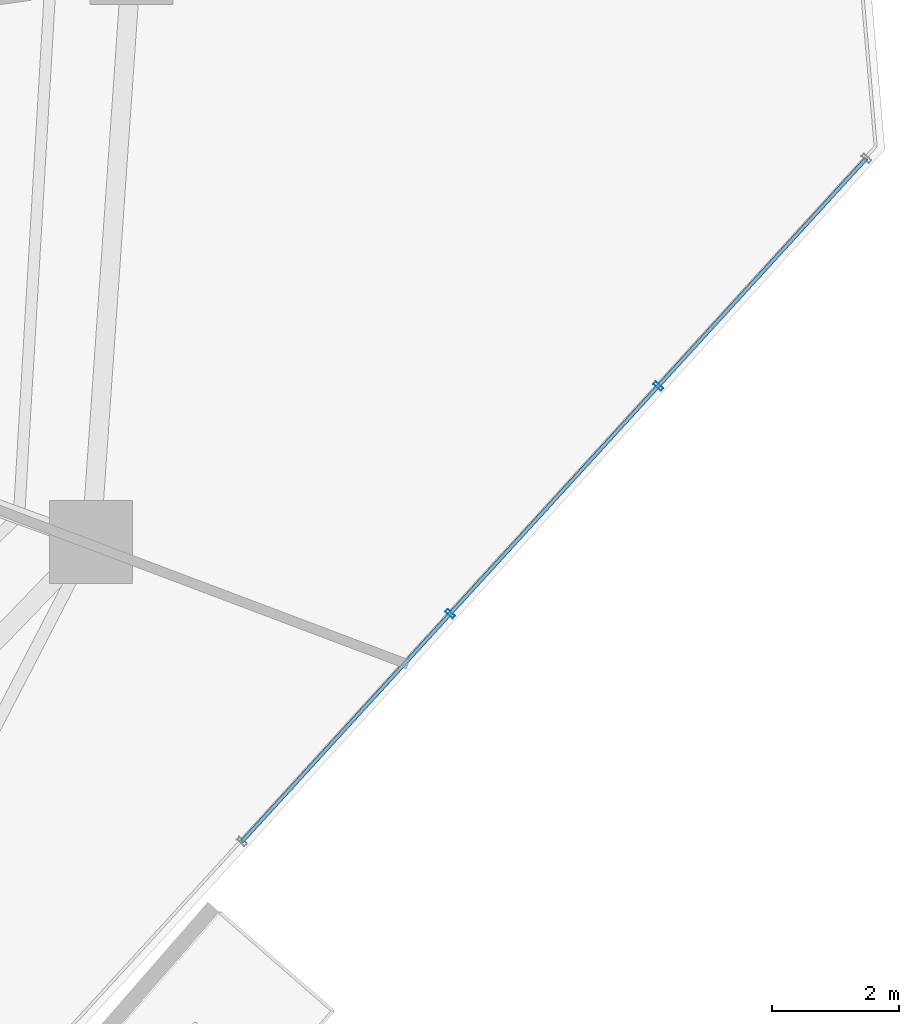
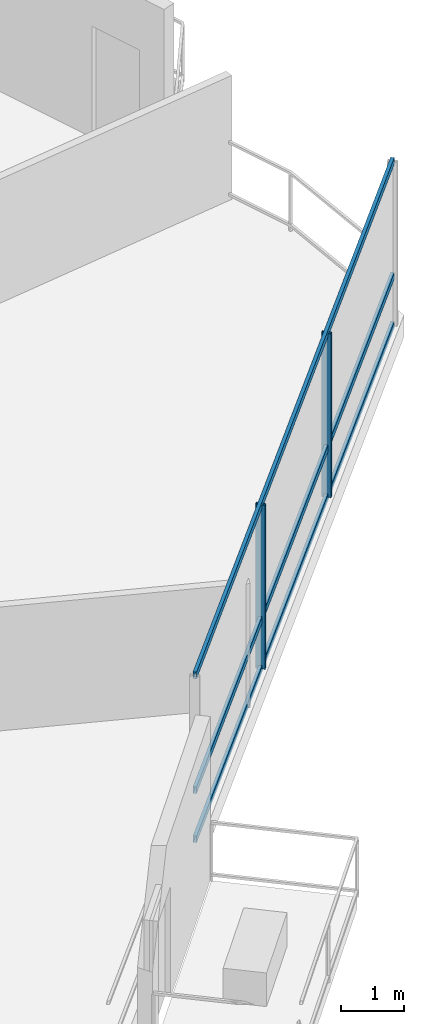
# One storey, part 14 of 33: 5 members, 1 element without a shape of its own.
"""IFC4 building model written with IfcOpenShell, lengths in metres."""

import ifcopenshell
import ifcopenshell.guid

model = None  # the IFC model being written
_history = None  # IfcOwnerHistory: only IFC2X3 demands one
_inside = {}  # id of a spatial element -> (the spatial element, [elements in it])
_under = {}  # id of a project, library or spatial element -> (it, [spatial elements below it])
_declared = {}  # id of a project -> (the project, [libraries it declares])
_typed = {}  # id of a type object -> (the type object, [elements of that type])
_made_of = {}  # id of a material, layer set ... -> (it, [elements and type objects made of it])


def new_model(schema):
    """Start an empty IFC model of exactly this schema.

    Asked for "IFC4X3", IfcOpenShell would pick the latest addendum, in which some entities
    have other attributes; the version numbers below select the first issue.
    IFC2X3 requires an IfcOwnerHistory on every rooted entity: one is made here for all.
    """
    global model, _history
    if schema == "IFC4X3":
        model = ifcopenshell.file(schema_version=(4, 3, 0, 0))
    else:
        model = ifcopenshell.file(schema=schema)
    _inside.clear()
    _under.clear()
    _declared.clear()
    _typed.clear()
    _made_of.clear()
    _history = None
    if model.schema == "IFC2X3":
        org = make("IfcOrganization", Name="unknown")
        user = make(
            "IfcPersonAndOrganization",
            ThePerson=make("IfcPerson", FamilyName="unknown"),
            TheOrganization=org,
        )
        app = make(
            "IfcApplication",
            ApplicationDeveloper=org,
            Version="unknown",
            ApplicationFullName="unknown",
            ApplicationIdentifier="unknown",
        )
        _history = make(
            "IfcOwnerHistory",
            OwningUser=user,
            OwningApplication=app,
            ChangeAction="ADDED",
            CreationDate=0,
        )
    return model


def make(cls, **values):
    """One entity of the class cls with the attributes given. An attribute that is None is left unset."""
    return model.create_entity(
        cls, **{name: value for name, value in values.items() if value is not None}
    )


def rooted(cls, **values):
    """An entity with a GlobalId (a new one), such as an element, a storey or a relation."""
    return make(cls, GlobalId=ifcopenshell.guid.new(), OwnerHistory=_history, **values)


def si_unit(unit_type, name, prefix=None):
    """IfcSIUnit, for example si_unit("LENGTHUNIT", "METRE", prefix="MILLI")."""
    return make("IfcSIUnit", UnitType=unit_type, Prefix=prefix, Name=name)


def assignment(units):
    """IfcUnitAssignment: the units of a project."""
    return None if units is None else make("IfcUnitAssignment", Units=units)


def point(xyz):
    """IfcCartesianPoint."""
    return None if xyz is None else make("IfcCartesianPoint", Coordinates=xyz)


def direction(xyz):
    """IfcDirection."""
    return None if xyz is None else make("IfcDirection", DirectionRatios=xyz)


def frame(location, z_axis=None, x_axis=None):
    """IfcAxis2Placement3D, a coordinate frame: its origin and axes. An axis left out is left unset."""
    return make(
        "IfcAxis2Placement3D",
        Location=point(location),
        Axis=direction(z_axis),
        RefDirection=direction(x_axis),
    )


def frame_2d(location, x_axis=None):
    """IfcAxis2Placement2D, a coordinate frame in the plane: its origin and x axis."""
    return make(
        "IfcAxis2Placement2D", Location=point(location), RefDirection=direction(x_axis)
    )


def origin():
    """The frame at (0, 0, 0) with its axes left unset."""
    return frame((0.0, 0.0, 0.0))


def origin_2d():
    """The frame at (0, 0) in the plane with its x axis left unset."""
    return frame_2d((0.0, 0.0))


def place(relative_to, where):
    """IfcLocalPlacement: puts the frame where relative to a parent placement (None: the world)."""
    return make(
        "IfcLocalPlacement", PlacementRelTo=relative_to, RelativePlacement=where
    )


def context(
    kind, dimensions, precision=None, world=None, true_north=None, identifier=None
):
    """IfcGeometricRepresentationContext, for example the 3D "Model" context."""
    return make(
        "IfcGeometricRepresentationContext",
        ContextIdentifier=identifier,
        ContextType=kind,
        CoordinateSpaceDimension=dimensions,
        Precision=precision,
        WorldCoordinateSystem=world,
        TrueNorth=true_north,
    )


def subcontext(parent, identifier, kind, view, scale=None):
    """IfcGeometricRepresentationSubContext, for example "Body" below "Model"."""
    return make(
        "IfcGeometricRepresentationSubContext",
        ContextIdentifier=identifier,
        ContextType=kind,
        ParentContext=parent,
        TargetScale=scale,
        TargetView=view,
    )


def project(units=None, contexts=None):
    """IfcProject with its units and contexts."""
    return rooted(
        "IfcProject",
        Name="project",
        RepresentationContexts=contexts,
        UnitsInContext=assignment(units),
    )


def spatial(cls, under=None, at=None, **own):
    """A site, building, storey or space (cls), placed at a placement, below another one or the project."""
    s = rooted(cls, ObjectPlacement=at, **own)
    if under is not None:
        _under.setdefault(under.id(), (under, []))[1].append(s)
    return s


def profile(cls, at=None, kind="AREA", **sizes):
    """A parametric profile (cls). Its sizes go by their IFC names, for example OverallWidth=200.0."""
    return make(cls, ProfileType=kind, Position=at, **sizes)


def hollow_rectangle(**sizes):
    """IfcRectangleHollowProfileDef."""
    return profile("IfcRectangleHollowProfileDef", **sizes)


def extrude(swept, where, along, depth):
    """IfcExtrudedAreaSolid: the profile swept, set in the frame where, extruded along a direction by depth."""
    return make(
        "IfcExtrudedAreaSolid",
        SweptArea=swept,
        Position=where,
        ExtrudedDirection=direction(along),
        Depth=depth,
    )


def shape(context_of_items, identifier, shape_type, items):
    """IfcShapeRepresentation: the items that make up one representation, for example the "Body"."""
    return make(
        "IfcShapeRepresentation",
        ContextOfItems=context_of_items,
        RepresentationIdentifier=identifier,
        RepresentationType=shape_type,
        Items=items,
    )


def material(Name=None, Category=None):
    """IfcMaterial."""
    return make("IfcMaterial", Name=Name, Category=Category)


def layer(
    of_material, thickness, ventilated=None, Name=None, Category=None, Priority=None
):
    """IfcMaterialLayer: one layer of a wall or slab, of a material (None: an air gap)."""
    return make(
        "IfcMaterialLayer",
        Material=of_material,
        LayerThickness=thickness,
        IsVentilated=ventilated,
        Name=Name,
        Category=Category,
        Priority=Priority,
    )


def layer_set(layers, Name=None):
    """IfcMaterialLayerSet."""
    return make("IfcMaterialLayerSet", MaterialLayers=layers, LayerSetName=Name)


def material_profile(
    of_material, cross_section, Name=None, Category=None, Priority=None
):
    """IfcMaterialProfile: a cross section and its material."""
    return make(
        "IfcMaterialProfile",
        Name=Name,
        Material=of_material,
        Profile=cross_section,
        Priority=Priority,
        Category=Category,
    )


def profile_set(profiles, Name=None, composite=None):
    """IfcMaterialProfileSet."""
    return make(
        "IfcMaterialProfileSet",
        Name=Name,
        MaterialProfiles=profiles,
        CompositeProfile=composite,
    )


def made_of(thing, what):
    """Note that an element or type object is made of a material, layer set ...; save() writes the relation."""
    if what is not None:
        _made_of.setdefault(what.id(), (what, []))[1].append(thing)
    return thing


def type_object(cls, material=None, **own):
    """A type object (cls), such as IfcWallType, which elements share."""
    return made_of(rooted(cls, **own), material)


def element(
    cls,
    number,
    at=None,
    inside=None,
    cuts=None,
    type_object=None,
    material=None,
    context=None,
    identifier="Body",
    shape_type=None,
    held_by="IfcProductDefinitionShape",
    body=None,
    shapes=None,
    **own,
):
    """One element of the class cls, such as IfcWall. Its Tag is "e" and its number.

    at: its placement. inside: the storey or other place that contains it. cuts: it is an
    opening in that element (IfcRelVoidsElement). A single representation is given by context,
    identifier, shape_type and body (its items); several are given by shapes. held_by: the class
    of the entity that holds the representations. save() writes the other relations.
    """
    e = rooted(cls, Tag="e%d" % number, ObjectPlacement=at, **own)
    if body is not None:
        shapes = [shape(context, identifier, shape_type, body)]
    if shapes is not None:
        e.Representation = make(held_by, Representations=shapes)
    if inside is not None:
        _inside.setdefault(inside.id(), (inside, []))[1].append(e)
    if cuts is not None:
        rooted(
            "IfcRelVoidsElement", RelatingBuildingElement=cuts, RelatedOpeningElement=e
        )
    if type_object is not None:
        _typed.setdefault(type_object.id(), (type_object, []))[1].append(e)
    return made_of(e, material)


def aggregate(whole, parts):
    """IfcRelAggregates: a whole, such as a stair, and the parts it consists of."""
    return rooted("IfcRelAggregates", RelatingObject=whole, RelatedObjects=parts)


def save(model, path):
    """Write the relations noted so far, then the file.

    IfcRelAggregates (storeys below a building ...), IfcRelContainedInSpatialStructure (elements
    in a storey), IfcRelDefinesByType, IfcRelAssociatesMaterial and IfcRelDeclares: one each for
    every whole, place, type object, material and project.
    """
    for whole, parts in _under.values():
        aggregate(whole, parts)
    for where, things in _inside.values():
        rooted(
            "IfcRelContainedInSpatialStructure",
            RelatedElements=things,
            RelatingStructure=where,
        )
    for kind, things in _typed.values():
        rooted("IfcRelDefinesByType", RelatedObjects=things, RelatingType=kind)
    for what, things in _made_of.values():
        rooted("IfcRelAssociatesMaterial", RelatedObjects=things, RelatingMaterial=what)
    for by, libraries in _declared.values():
        rooted("IfcRelDeclares", RelatingContext=by, RelatedDefinitions=libraries)
    model.write(path)


model = new_model("IFC4")

# Units and contexts
model_context = context("Model", 3, precision=1e-05, world=origin(), true_north=direction((0.0, 1.0)))
body_context = subcontext(model_context, "Body", "Model", "MODEL_VIEW")
ifc_project = project(units=[si_unit("LENGTHUNIT", "METRE"), si_unit("AREAUNIT", "SQUARE_METRE"), si_unit("VOLUMEUNIT", "CUBIC_METRE"), si_unit("PLANEANGLEUNIT", "RADIAN"), si_unit("MASSUNIT", "GRAM", prefix="KILO")], contexts=[model_context])

# Site, building, storey
site_placement = place(None, origin())
site = spatial("IfcSite", under=ifc_project, at=site_placement, CompositionType="ELEMENT")
building_placement = place(site_placement, origin())
building = spatial("IfcBuilding", under=site, at=building_placement, Name="Qarnah Convention Tower", CompositionType="ELEMENT")
storey_placement = place(building_placement, frame((0.0, 0.0, 27.0)))
storey = spatial("IfcBuildingStorey", under=building, at=storey_placement, Name="L05", CompositionType="ELEMENT", Elevation=27.0)

# Curtain wall, members
ifc_material_1 = material(Name="Tempered Low-E dark glass", Category="glass")
ifc_layer = layer(ifc_material_1, 0.16796875)
ifc_layer_set = layer_set([ifc_layer], Name="Tempered Low-E dark glass")
curtain_wall_type = type_object("IfcCurtainWallType", Name="CWS-01", PredefinedType="NOTDEFINED", material=ifc_layer_set)
curtain_wall_placement = place(storey_placement, origin())
curtain_wall = element("IfcCurtainWall", 1, at=curtain_wall_placement, inside=storey, type_object=curtain_wall_type, Name="L05 unitised curtain wall CW-L05-F3", PredefinedType="NOTDEFINED")
ifc_material_2 = material(Name="Black anodised aluminium", Category="aluminium")
ifc_material_profile_1 = material_profile(ifc_material_2, hollow_rectangle(XDim=0.06005859375, YDim=0.159912109375, WallThickness=0.00390625, at=origin_2d()), Name="MUL-60X160")
ifc_profile_set_1 = profile_set([ifc_material_profile_1], Name="Black anodised aluminium")
member_type_1 = type_object("IfcMemberType", Name="MUL-T1", PredefinedType="MULLION", material=ifc_profile_set_1)
member_1_placement = place(storey_placement, frame((61.66943359375, 23.189697265625, 0.0), z_axis=(0.0, 0.0, 1.0), x_axis=(-0.674681503435, -0.738108981738, 0.0)))
member_1 = element("IfcMember", 2, at=member_1_placement, type_object=member_type_1, Name="CW-L05-F3 mullion 2", PredefinedType="MULLION", context=body_context, shape_type="SweptSolid", body=[
    extrude(hollow_rectangle(XDim=0.06005859375, YDim=0.159912109375, WallThickness=0.00390625, at=origin_2d()), origin(), (0.0, 0.0, 1.0), 3.169921875),
])
member_2_placement = place(storey_placement, frame((58.396728515625, 19.609375, 0.0), z_axis=(0.0, 0.0, 1.0), x_axis=(-0.674681503435, -0.738108981738, 0.0)))
member_2 = element("IfcMember", 3, at=member_2_placement, type_object=member_type_1, Name="CW-L05-F3 mullion 3", PredefinedType="MULLION", context=body_context, shape_type="SweptSolid", body=[
    extrude(hollow_rectangle(XDim=0.06005859375, YDim=0.159912109375, WallThickness=0.00390625, at=origin_2d()), origin(), (0.0, 0.0, 1.0), 3.169921875),
])
ifc_material_profile_2 = material_profile(ifc_material_2, hollow_rectangle(XDim=0.06005859375, YDim=0.1298828125, WallThickness=0.00390625, at=origin_2d()), Name="TRN-60X130")
ifc_profile_set_2 = profile_set([ifc_material_profile_2], Name="Black anodised aluminium")
member_type_2 = type_object("IfcMemberType", Name="TRN-T1", PredefinedType="USERDEFINED", material=ifc_profile_set_2)
member_3_placement = place(storey_placement, frame((64.94189453125, 26.77001953125, 0.0), z_axis=(-0.674677811293, -0.738112356588, 0.0), x_axis=(0.738112356588, -0.674677811293, 0.0)))
member_3 = element("IfcMember", 4, at=member_3_placement, type_object=member_type_2, Name="CW-L05-F3 transom 1", ObjectType="TRANSOM", PredefinedType="USERDEFINED", context=body_context, shape_type="SweptSolid", body=[
    extrude(hollow_rectangle(XDim=0.06005859375, YDim=0.1298828125, WallThickness=0.00390625, at=origin_2d()), origin(), (0.0, 0.0, 1.0), 14.552001953125),
])
member_4_placement = place(storey_placement, frame((64.94189453125, 26.77001953125, 0.949951171875), z_axis=(-0.674677811293, -0.738112356588, 0.0), x_axis=(0.738112356588, -0.674677811293, 0.0)))
member_4 = element("IfcMember", 5, at=member_4_placement, type_object=member_type_2, Name="CW-L05-F3 transom 2", ObjectType="TRANSOM", PredefinedType="USERDEFINED", context=body_context, shape_type="SweptSolid", body=[
    extrude(hollow_rectangle(XDim=0.06005859375, YDim=0.1298828125, WallThickness=0.00390625, at=origin_2d()), origin(), (0.0, 0.0, 1.0), 14.552001953125),
])
member_5_placement = place(storey_placement, frame((64.94189453125, 26.77001953125, 3.169921875), z_axis=(-0.674677811293, -0.738112356588, 0.0), x_axis=(0.738112356588, -0.674677811293, 0.0)))
member_5 = element("IfcMember", 6, at=member_5_placement, type_object=member_type_2, Name="CW-L05-F3 transom 3", ObjectType="TRANSOM", PredefinedType="USERDEFINED", context=body_context, shape_type="SweptSolid", body=[
    extrude(hollow_rectangle(XDim=0.06005859375, YDim=0.1298828125, WallThickness=0.00390625, at=origin_2d()), origin(), (0.0, 0.0, 1.0), 14.552001953125),
])
aggregate(curtain_wall, [member_1, member_2, member_3, member_4, member_5])

save(model, "model.ifc")
